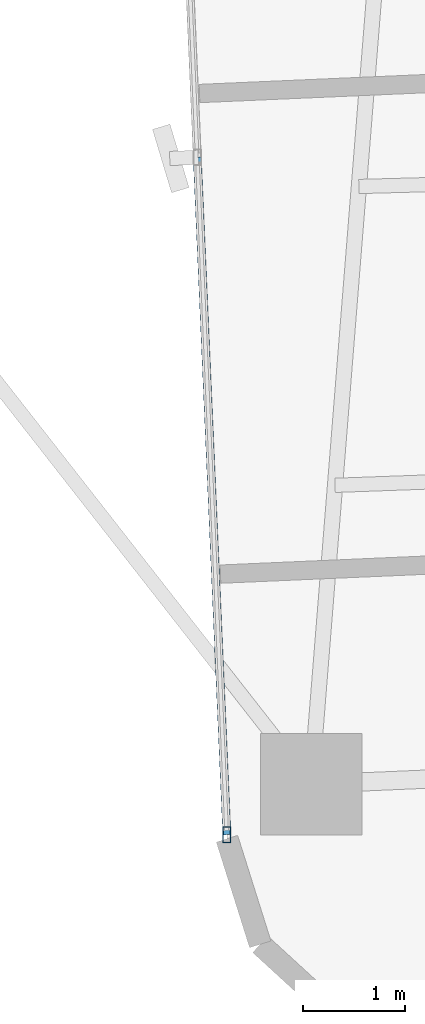
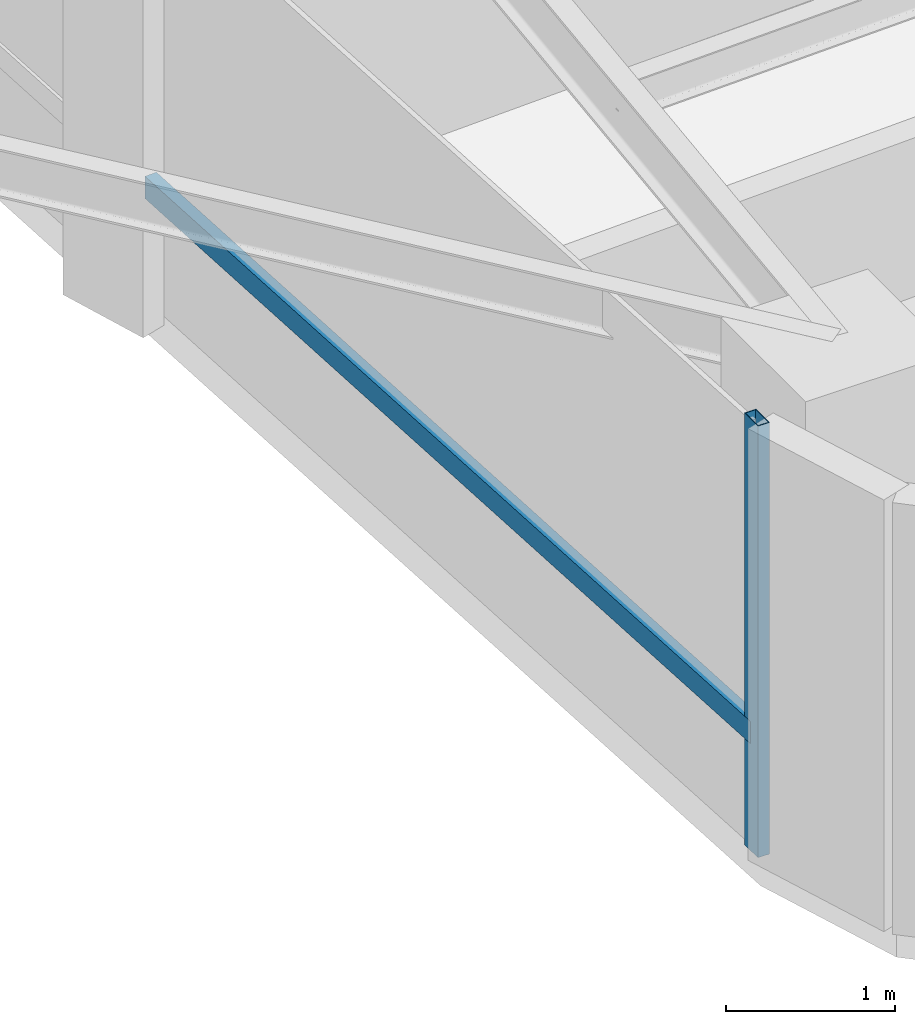
# One storey, part 2 of 26: 2 members, 1 element without a shape of its own.
"""IFC4 building model written with IfcOpenShell, lengths in metres."""

from ifc_helpers import new_model, si_unit, direction, frame, origin, origin_2d, place, context, subcontext, project, spatial, hollow_rectangle, extrude, source, transform, mapped, material, material_profile, profile_set, type_object, element, aggregate, save


model = new_model("IFC4")

# Units and contexts
model_context = context("Model", 3, precision=1e-05, world=origin(), true_north=direction((0.0, 1.0)))
body_context = subcontext(model_context, "Body", "Model", "MODEL_VIEW")
ifc_project = project(units=[si_unit("LENGTHUNIT", "METRE"), si_unit("AREAUNIT", "SQUARE_METRE"), si_unit("VOLUMEUNIT", "CUBIC_METRE"), si_unit("PLANEANGLEUNIT", "RADIAN"), si_unit("MASSUNIT", "GRAM", prefix="KILO")], contexts=[model_context])

# Site, building, storey
site_placement = place(None, origin())
site = spatial("IfcSite", under=ifc_project, at=site_placement, CompositionType="ELEMENT")
building_placement = place(site_placement, origin())
building = spatial("IfcBuilding", under=site, at=building_placement, Name="Sahyath Konkavel Grand Hotel", CompositionType="ELEMENT")
storey_placement = place(building_placement, frame((0.0, 0.0, 114.800048828125)))
storey = spatial("IfcBuildingStorey", under=building, at=storey_placement, Name="L31", CompositionType="ELEMENT", Elevation=114.800048828125)

# Curtain wall, members
ifc_material_1 = material(Name="Anodised Bronze Aluminium & Low-E Glazing", Category="aluminium")
curtain_wall_type = type_object("IfcCurtainWallType", Name="CW-ZONE2", PredefinedType="NOTDEFINED", material=ifc_material_1)
curtain_wall_placement = place(storey_placement, origin())
curtain_wall = element("IfcCurtainWall", 1, at=curtain_wall_placement, inside=storey, type_object=curtain_wall_type, Name="L31 Unitised Curtain Wall F24", PredefinedType="NOTDEFINED")
ifc_material_2 = material(Name="Anodised Bronze Aluminium", Category="aluminium")
ifc_material_profile_1 = material_profile(ifc_material_2, hollow_rectangle(XDim=0.080078125, YDim=0.159912109375, WallThickness=0.006103515625, at=origin_2d()), Name="RHS 160x80x6")
ifc_profile_set_1 = profile_set([ifc_material_profile_1], Name="Anodised Bronze Aluminium")
member_type_1 = type_object("IfcMemberType", Name="CW-MUL-160", PredefinedType="MULLION", material=ifc_profile_set_1)
shared_shape_1 = source(origin(), body_context, "Body", "SweptSolid", [
    extrude(hollow_rectangle(XDim=0.080078125, YDim=0.159912109375, WallThickness=0.006103515625, at=origin_2d()), origin(), (0.0, 0.0, 1.0), 3.10986328125),
])
member_1_placement = place(storey_placement, frame((-5.605224609375, -22.92626953125, 0.0), z_axis=(0.0, 0.0, 1.0), x_axis=(1.0, 0.0, 0.0)))
member_1 = element("IfcMember", 2, at=member_1_placement, type_object=member_type_1, Name="L31 Curtain Wall Mullion F24-2", PredefinedType="MULLION", context=body_context, shape_type="MappedRepresentation", body=[
    mapped(shared_shape_1, transform((0.0, 0.0, 0.0), scale=1.0)),
])
ifc_material_profile_2 = material_profile(ifc_material_2, hollow_rectangle(XDim=0.080078125, YDim=0.159912109375, WallThickness=0.006103515625, at=origin_2d()), Name="RHS 160x80x6")
ifc_profile_set_2 = profile_set([ifc_material_profile_2], Name="Anodised Bronze Aluminium")
member_type_2 = type_object("IfcMemberType", Name="CW-TRN-160", PredefinedType="USERDEFINED", material=ifc_profile_set_2)
shared_shape_2 = source(origin(), body_context, "Body", "SweptSolid", [
    extrude(hollow_rectangle(XDim=0.080078125, YDim=0.159912109375, WallThickness=0.006103515625, at=origin_2d()), origin(), (0.0, 0.0, 1.0), 6.659912109375),
])
member_2_placement = place(storey_placement, frame((-5.895751953125, -16.272705078125, 0.849853515625), z_axis=(0.043623350741, -0.999048048529, 0.0), x_axis=(0.999048048529, 0.043623350741, 0.0)))
member_2 = element("IfcMember", 3, at=member_2_placement, type_object=member_type_2, Name="L31 Curtain Wall Transom F24-1-spandrel", ObjectType="TRANSOM", PredefinedType="USERDEFINED", context=body_context, shape_type="MappedRepresentation", body=[
    mapped(shared_shape_2, transform((0.0, 0.0, 0.0), scale=1.0)),
])
aggregate(curtain_wall, [member_1, member_2])

save(model, "model.ifc")
